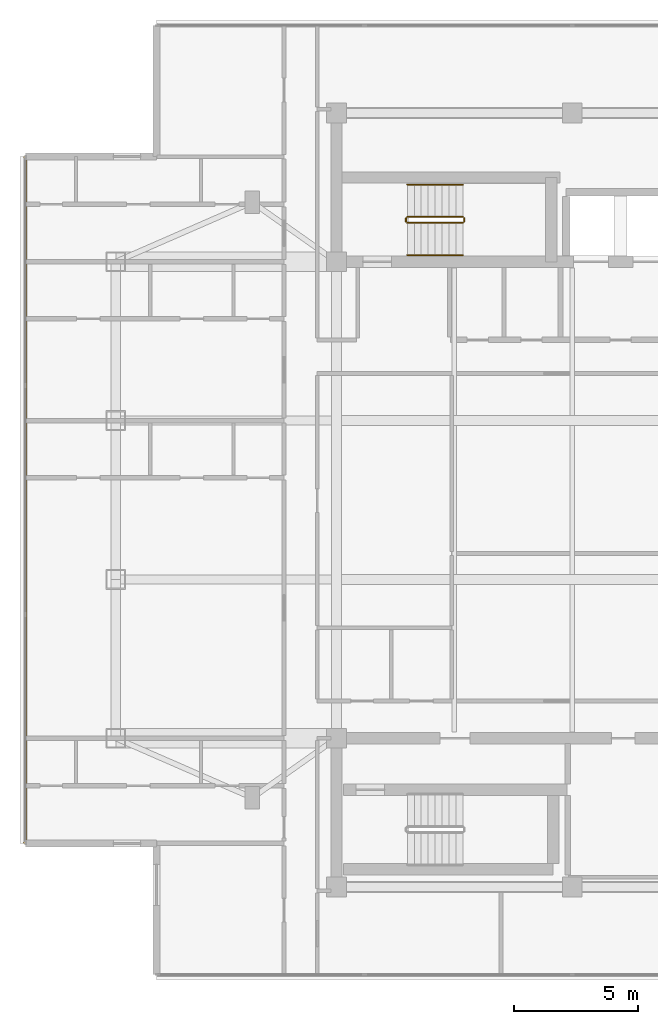
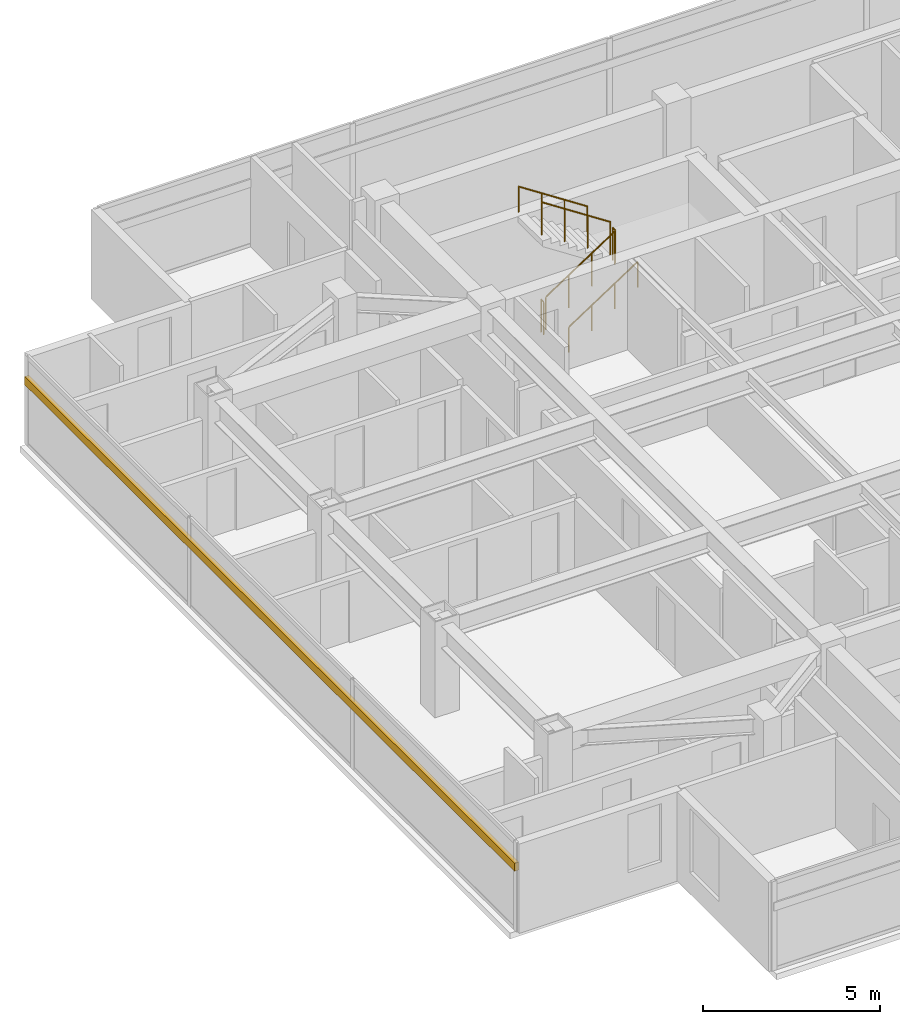
# One storey, part 13 of 14: 6 railings, 1 shading device.
"""IFC4 building model written with IfcOpenShell, lengths in metres."""

from ifc_helpers import new_model, si_unit, direction, frame, origin, origin_2d, place, context, subcontext, project, spatial, rectangle, circle, extrude, material, material_profile, profile_set, type_object, element, save


model = new_model("IFC4")

# Units and contexts
model_context = context("Model", 3, precision=1e-05, world=origin(), true_north=direction((0.0, 1.0)))
body_context = subcontext(model_context, "Body", "Model", "MODEL_VIEW")
ifc_project = project(units=[si_unit("LENGTHUNIT", "METRE"), si_unit("AREAUNIT", "SQUARE_METRE"), si_unit("VOLUMEUNIT", "CUBIC_METRE"), si_unit("PLANEANGLEUNIT", "RADIAN"), si_unit("MASSUNIT", "GRAM", prefix="KILO")], contexts=[model_context])

# Site, building, storey
site_placement = place(None, origin())
site = spatial("IfcSite", under=ifc_project, at=site_placement, CompositionType="ELEMENT")
building_placement = place(site_placement, origin())
building = spatial("IfcBuilding", under=site, at=building_placement, Name="Mirazonda Arch Towers", CompositionType="ELEMENT")
storey_placement = place(building_placement, frame((0.0, 0.0, 242.5)))
storey = spatial("IfcBuildingStorey", under=building, at=storey_placement, Name="L69", CompositionType="ELEMENT", Elevation=242.5)

# Shading device
ifc_material_1 = material(Name="Kiln-Fired Architectural Terracotta", Category="masonry")
ifc_material_profile = material_profile(ifc_material_1, rectangle(XDim=0.139892578125, YDim=0.280029296875, at=origin_2d()), Name="TERRA-BAG-140x280")
ifc_profile_set = profile_set([ifc_material_profile], Name="Kiln-Fired Architectural Terracotta")
shading_device_type = type_object("IfcShadingDeviceType", Name="BAGUETTE-3", PredefinedType="USERDEFINED", material=ifc_profile_set)
shading_device_placement = place(storey_placement, frame((-1.5400390625, 41.8359375, 2.217529296875), z_axis=(0.0, -1.0, 0.0), x_axis=(1.0, 0.0, 0.0)))
element("IfcShadingDevice", 1, at=shading_device_placement, inside=storey, type_object=shading_device_type, Name="L69 Glazed Terracotta Sun-Screen Baguette CW-L69-T1-W", ObjectType="BAGUETTE", PredefinedType="USERDEFINED", context=body_context, shape_type="SweptSolid", body=[
    extrude(rectangle(XDim=0.139892578125, YDim=0.280029296875, at=origin_2d()), origin(), (0.0, 0.0, 1.0), 27.671875),
])

# Railings
ifc_material_2 = material(Name="Architectural Brushed Steel S355", Category="steel")
railing_type_1 = type_object("IfcRailingType", Name="GUARD-STAIR-1120", PredefinedType="GUARDRAIL", material=ifc_material_2)
railing_1_placement = place(storey_placement, frame((13.85009765625, 39.169921875, 0.183349609375)))
element("IfcRailing", 2, at=railing_1_placement, inside=storey, type_object=railing_type_1, Name="L69 ST-T1N stair guard 1", PredefinedType="GUARDRAIL", context=body_context, shape_type="SweptSolid", body=[
    extrude(circle(Radius=0.02392578125, at=origin_2d()), frame((0.0, 0.0, 1.1259765625), z_axis=(0.836636935527, 0.0, 0.547757827979), x_axis=(0.0, 1.0, 0.0)), (0.0, 0.0, 1.0), 2.677490234375),
    extrude(circle(Radius=0.02099609375, at=origin_2d()), origin(), (0.0, 0.0, 1.0), 1.101806640625),
    extrude(circle(Radius=0.02099609375, at=origin_2d()), frame((0.74658203125, 0.0, 0.48876953125)), (0.0, 0.0, 1.0), 1.101806640625),
    extrude(circle(Radius=0.02099609375, at=origin_2d()), frame((1.493408203125, 0.0, 0.977783203125)), (0.0, 0.0, 1.0), 1.101806640625),
    extrude(circle(Radius=0.02099609375, at=origin_2d()), frame((2.239990234375, 0.0, 1.466552734375)), (0.0, 0.0, 1.0), 1.101806640625),
])
railing_2_placement = place(storey_placement, frame((16.139892578125, 39.219970703125, 1.64990234375)))
element("IfcRailing", 3, at=railing_2_placement, inside=storey, type_object=railing_type_1, Name="L69 ST-T1N stair guard 2", PredefinedType="GUARDRAIL", context=body_context, shape_type="SweptSolid", body=[
    extrude(circle(Radius=0.02392578125, at=origin_2d()), frame((0.0, 0.0, 1.1259765625), z_axis=(0.0, 1.0, 0.0), x_axis=(-1.0, 0.0, 0.0)), (0.0, 0.0, 1.0), 0.14013671875),
    extrude(circle(Radius=0.02099609375, at=origin_2d()), origin(), (0.0, 0.0, 1.0), 1.101806640625),
    extrude(circle(Radius=0.02099609375, at=origin_2d()), frame((0.0, 0.14013671875, 0.0)), (0.0, 0.0, 1.0), 1.101806640625),
])
railing_3_placement = place(storey_placement, frame((16.090087890625, 39.409912109375, 1.833251953125)))
element("IfcRailing", 4, at=railing_3_placement, inside=storey, type_object=railing_type_1, Name="L69 ST-T1N stair guard 3", PredefinedType="GUARDRAIL", context=body_context, shape_type="SweptSolid", body=[
    extrude(circle(Radius=0.02392578125, at=origin_2d()), frame((0.0, 0.0, 1.1259765625), z_axis=(-0.836595146698, 0.0, 0.547821650285), x_axis=(0.0, -1.0, 0.0)), (0.0, 0.0, 1.0), 2.677490234375),
    extrude(circle(Radius=0.02099609375, at=origin_2d()), origin(), (0.0, 0.0, 1.0), 1.101806640625),
    extrude(circle(Radius=0.02099609375, at=origin_2d()), frame((-0.74658203125, 0.0, 0.489013671875)), (0.0, 0.0, 1.0), 1.101806640625),
    extrude(circle(Radius=0.02099609375, at=origin_2d()), frame((-1.493408203125, 0.0, 0.977783203125)), (0.0, 0.0, 1.0), 1.101806640625),
    extrude(circle(Radius=0.02099609375, at=origin_2d()), frame((-2.239990234375, 0.0, 1.466796875)), (0.0, 0.0, 1.0), 1.101806640625),
])
railing_4_placement = place(storey_placement, frame((13.800048828125, 39.219970703125, 0.0)))
element("IfcRailing", 5, at=railing_4_placement, inside=storey, type_object=railing_type_1, Name="L69 ST-T1N stair guard 4", PredefinedType="GUARDRAIL", context=body_context, shape_type="SweptSolid", body=[
    extrude(circle(Radius=0.02392578125, at=origin_2d()), frame((0.0, 0.0, 1.1259765625), z_axis=(0.0, 1.0, 0.0), x_axis=(-1.0, 0.0, 0.0)), (0.0, 0.0, 1.0), 0.14013671875),
    extrude(circle(Radius=0.02099609375, at=origin_2d()), origin(), (0.0, 0.0, 1.0), 1.101806640625),
    extrude(circle(Radius=0.02099609375, at=origin_2d()), frame((0.0, 0.14013671875, 0.0)), (0.0, 0.0, 1.0), 1.101806640625),
])
railing_type_2 = type_object("IfcRailingType", Name="HANDRAIL-915", PredefinedType="HANDRAIL", material=ifc_material_2)
railing_5_placement = place(storey_placement, frame((13.85009765625, 37.8701171875, 0.183349609375)))
element("IfcRailing", 6, at=railing_5_placement, inside=storey, type_object=railing_type_2, Name="L69 ST-T1N stair handrail 1", PredefinedType="HANDRAIL", context=body_context, shape_type="SweptSolid", body=[
    extrude(circle(Radius=0.02392578125, at=origin_2d()), frame((0.0, 0.0, 0.8759765625), z_axis=(0.836636935527, 0.0, 0.547757827979), x_axis=(0.0, 1.0, 0.0)), (0.0, 0.0, 1.0), 2.677490234375),
    extrude(circle(Radius=0.02099609375, at=origin_2d()), origin(), (0.0, 0.0, 1.0), 0.851806640625),
    extrude(circle(Radius=0.02099609375, at=origin_2d()), frame((0.74658203125, 0.0, 0.48876953125)), (0.0, 0.0, 1.0), 0.851806640625),
    extrude(circle(Radius=0.02099609375, at=origin_2d()), frame((1.493408203125, 0.0, 0.977783203125)), (0.0, 0.0, 1.0), 0.851806640625),
    extrude(circle(Radius=0.02099609375, at=origin_2d()), frame((2.239990234375, 0.0, 1.466552734375)), (0.0, 0.0, 1.0), 0.851806640625),
])
railing_6_placement = place(storey_placement, frame((16.090087890625, 40.7099609375, 1.833251953125)))
element("IfcRailing", 7, at=railing_6_placement, inside=storey, type_object=railing_type_2, Name="L69 ST-T1N stair handrail 2", PredefinedType="HANDRAIL", context=body_context, shape_type="SweptSolid", body=[
    extrude(circle(Radius=0.02392578125, at=origin_2d()), frame((0.0, 0.0, 0.8759765625), z_axis=(-0.836595146698, 0.0, 0.547821650285), x_axis=(0.0, -1.0, 0.0)), (0.0, 0.0, 1.0), 2.677490234375),
    extrude(circle(Radius=0.02099609375, at=origin_2d()), origin(), (0.0, 0.0, 1.0), 0.851806640625),
    extrude(circle(Radius=0.02099609375, at=origin_2d()), frame((-0.74658203125, 0.0, 0.489013671875)), (0.0, 0.0, 1.0), 0.851806640625),
    extrude(circle(Radius=0.02099609375, at=origin_2d()), frame((-1.493408203125, 0.0, 0.977783203125)), (0.0, 0.0, 1.0), 0.851806640625),
    extrude(circle(Radius=0.02099609375, at=origin_2d()), frame((-2.239990234375, 0.0, 1.466796875)), (0.0, 0.0, 1.0), 0.851806640625),
])

save(model, "model.ifc")
